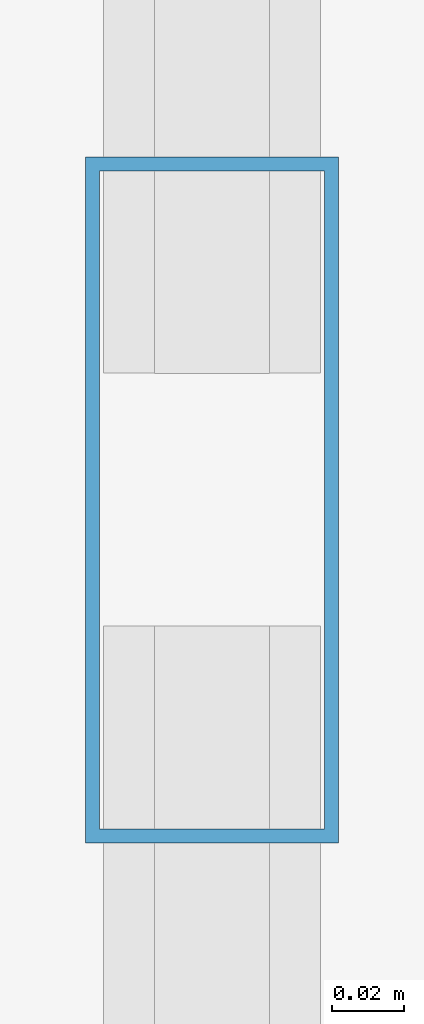
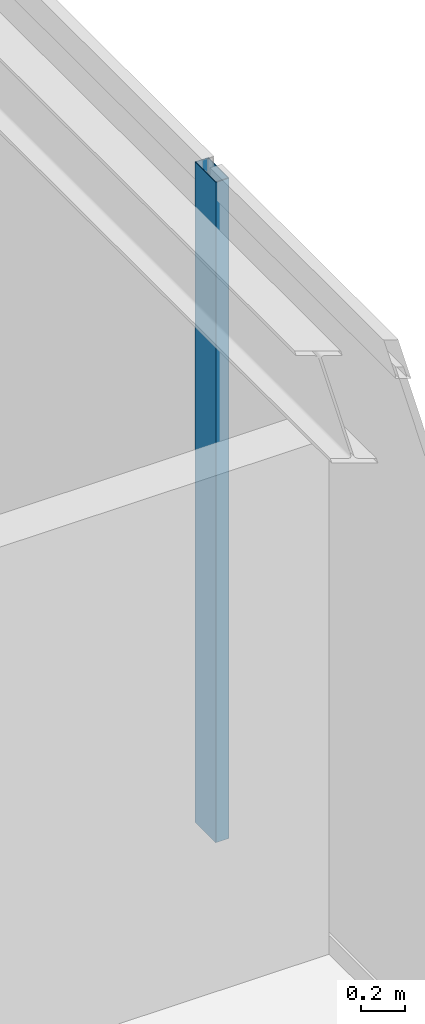
# One storey, part 20 of 35: 1 member, 1 element without a shape of its own.
"""IFC4 building model written with IfcOpenShell, lengths in metres."""

from ifc_helpers import new_model, si_unit, direction, frame, origin, origin_2d, place, context, subcontext, project, spatial, hollow_rectangle, extrude, source, transform, mapped, material, layer, layer_set, material_profile, profile_set, type_object, type_shapes, element, aggregate, save


model = new_model("IFC4")

# Units and contexts
model_context = context("Model", 3, precision=1e-05, world=origin(), true_north=direction((0.0, 1.0)))
body_context = subcontext(model_context, "Body", "Model", "MODEL_VIEW")
ifc_project = project(units=[si_unit("LENGTHUNIT", "METRE"), si_unit("AREAUNIT", "SQUARE_METRE"), si_unit("VOLUMEUNIT", "CUBIC_METRE"), si_unit("PLANEANGLEUNIT", "RADIAN"), si_unit("MASSUNIT", "GRAM", prefix="KILO")], contexts=[model_context])

# Site, building, storey
site_placement = place(None, origin())
site = spatial("IfcSite", under=ifc_project, at=site_placement, CompositionType="ELEMENT")
building_placement = place(site_placement, origin())
building = spatial("IfcBuilding", under=site, at=building_placement, Name="Varnel Quay Broadcast Tower", CompositionType="ELEMENT")
storey_placement = place(building_placement, frame((0.0, 0.0, 31.5)))
storey = spatial("IfcBuildingStorey", under=building, at=storey_placement, Name="L06", CompositionType="ELEMENT", Elevation=31.5)

# Curtain wall, member
ifc_material = material(Name="Anodised Bronze Aluminium 6063-T6", Category="aluminium")
ifc_layer = layer(ifc_material, 0.18994140625, Name="Anodised Bronze Aluminium 6063-T6")
ifc_layer_set = layer_set([ifc_layer], Name="Anodised Bronze Aluminium 6063-T6")
curtain_wall_type = type_object("IfcCurtainWallType", Name="CW_LowerTower", PredefinedType="NOTDEFINED", material=ifc_layer_set)
curtain_wall_placement = place(storey_placement, origin())
curtain_wall = element("IfcCurtainWall", 1, at=curtain_wall_placement, inside=storey, type_object=curtain_wall_type, Name="L06 East Unitised Curtain Wall", PredefinedType="NOTDEFINED")
ifc_material_profile = material_profile(ifc_material, hollow_rectangle(XDim=0.070068359375, YDim=0.18994140625, WallThickness=0.00390625, at=origin_2d()), Name="ALU70X190X4")
ifc_profile_set = profile_set([ifc_material_profile], Name="Anodised Bronze Aluminium 6063-T6")
member_type = type_object("IfcMemberType", Name="Mull_CWS-02", PredefinedType="MULLION", material=ifc_profile_set)
shared_shape = source(origin(), body_context, "Body", "SweptSolid", [
    extrude(hollow_rectangle(XDim=0.070068359375, YDim=0.18994140625, WallThickness=0.00390625, at=origin_2d()), origin(), (0.0, 0.0, 1.0), 3.64990234375),
])
type_shapes(member_type, [shared_shape])
member_placement = place(storey_placement, frame((65.85009765625, 30.39990234375, 0.0), z_axis=(0.0, 0.0, 1.0), x_axis=(-1.0, 0.0, 0.0)))
member = element("IfcMember", 2, at=member_placement, type_object=member_type, Name="CWS-02 mullion 3", PredefinedType="MULLION", context=body_context, shape_type="MappedRepresentation", body=[
    mapped(shared_shape, transform((0.0, 0.0, 0.0), x_axis=(1.0, 0.0, 0.0), y_axis=(0.0, 1.0, 0.0), z_axis=(0.0, 0.0, 1.0), scale=1.0)),
])
aggregate(curtain_wall, [member])

save(model, "model.ifc")
